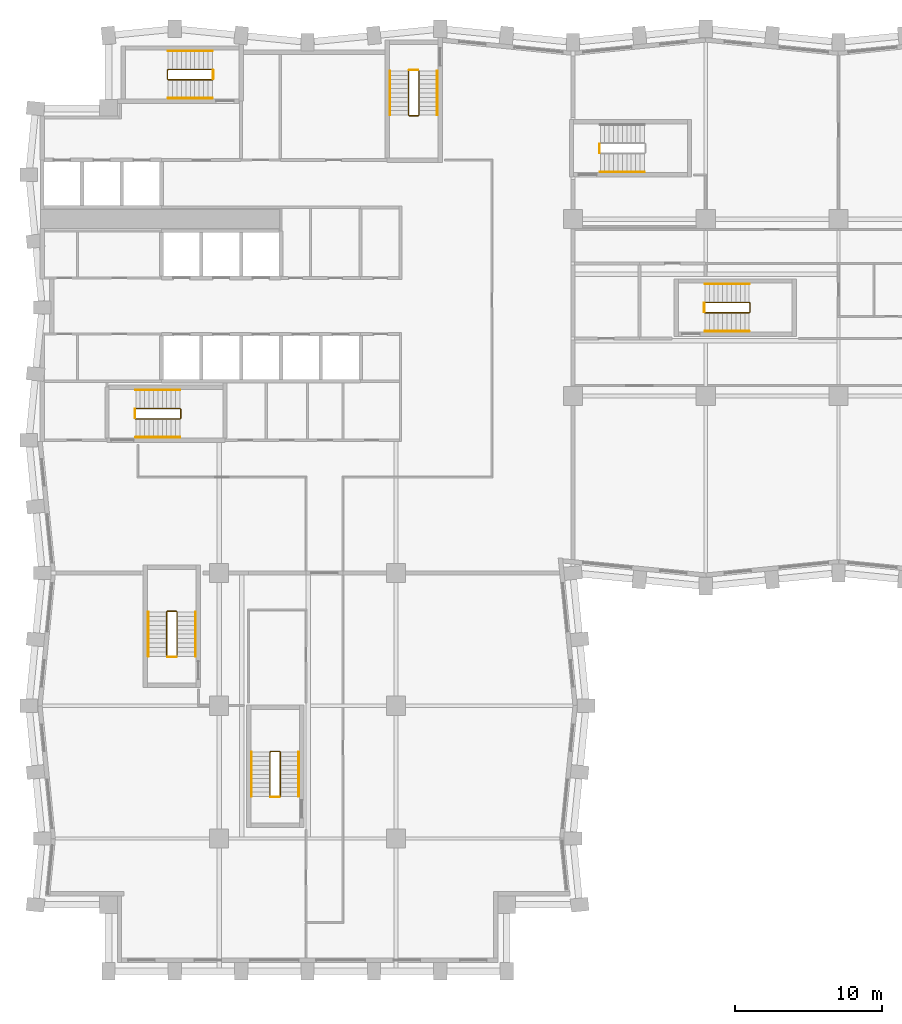
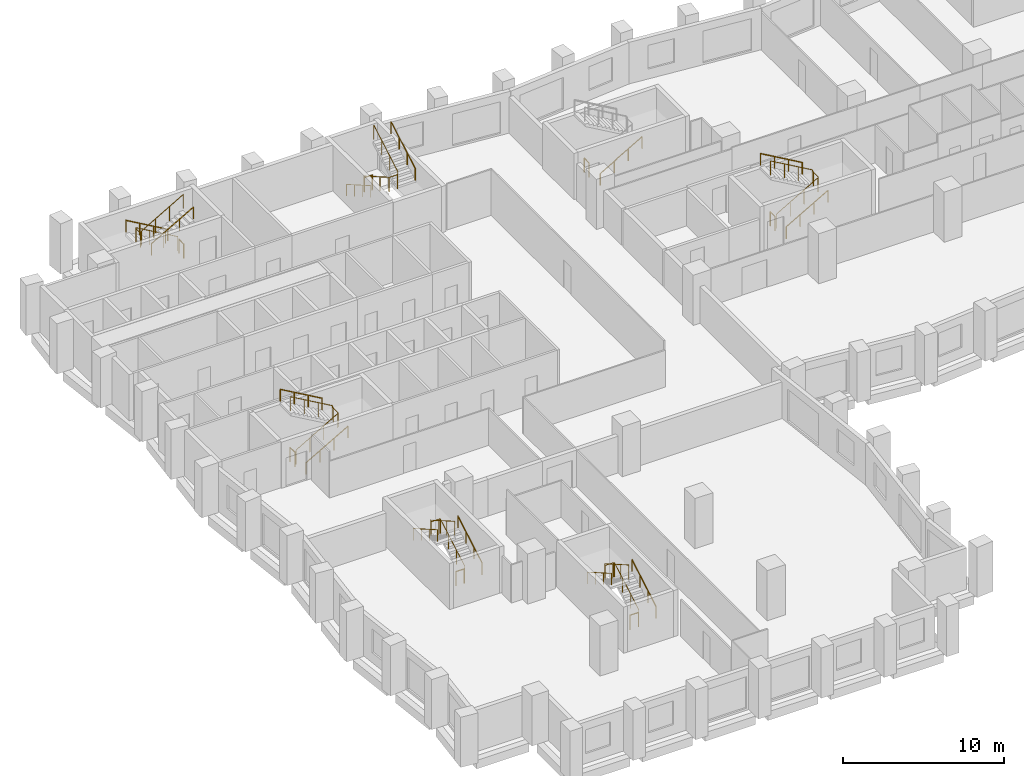
# One storey, part 10 of 11: 26 railings.
"""IFC4 building model written with IfcOpenShell, lengths in metres."""

from ifc_helpers import new_model, si_unit, direction, frame, origin, origin_2d, place, context, subcontext, project, spatial, circle, extrude, material, type_object, element, save


model = new_model("IFC4")

# Units and contexts
model_context = context("Model", 3, precision=1e-05, world=origin(), true_north=direction((0.0, 1.0)))
body_context = subcontext(model_context, "Body", "Model", "MODEL_VIEW")
ifc_project = project(units=[si_unit("LENGTHUNIT", "METRE"), si_unit("AREAUNIT", "SQUARE_METRE"), si_unit("VOLUMEUNIT", "CUBIC_METRE"), si_unit("PLANEANGLEUNIT", "RADIAN"), si_unit("MASSUNIT", "GRAM", prefix="KILO")], contexts=[model_context])

# Site, building, storey
site_placement = place(None, origin())
site = spatial("IfcSite", under=ifc_project, at=site_placement, CompositionType="ELEMENT")
building_placement = place(site_placement, origin())
building = spatial("IfcBuilding", under=site, at=building_placement, Name="Brondeck Convention Tower", CompositionType="ELEMENT")
storey_placement = place(building_placement, frame((0.0, 0.0, 118.89990234375)))
storey = spatial("IfcBuildingStorey", under=building, at=storey_placement, Name="L28", CompositionType="ELEMENT", Elevation=118.89990234375)

# Railings
ifc_material = material(Name="Steel S355", Category="steel")
railing_type_1 = type_object("IfcRailingType", Name="Stair guard 1100", PredefinedType="GUARDRAIL", material=ifc_material)
railing_1_placement = place(storey_placement, frame((6.35009765625, 37.449951171875, 0.1728515625)))
element("IfcRailing", 1, at=railing_1_placement, inside=storey, type_object=railing_type_1, Name="L28 ST-1 stair guard 1", PredefinedType="GUARDRAIL", context=body_context, shape_type="SweptSolid", body=[
    extrude(circle(Radius=0.02392578125, at=origin_2d()), frame((0.0, 0.0, 1.076171875), z_axis=(0.866619684472, 0.0, 0.498969260062), x_axis=(0.0, 1.0, 0.0)), (0.0, 0.0, 1.0), 3.461669921875),
    extrude(circle(Radius=0.02392578125, at=origin_2d()), frame((3.0, 0.0, 2.80322265625), z_axis=(0.705375805398, 0.708833529934, 0.0), x_axis=(-0.708833529934, 0.705375805398, 0.0)), (0.0, 0.0, 1.0), 0.070556640625),
    extrude(circle(Radius=0.02392578125, at=origin_2d()), frame((3.0498046875, 0.050048828125, 2.80322265625), z_axis=(0.0, 1.0, 0.0), x_axis=(-1.0, 0.0, 0.0)), (0.0, 0.0, 1.0), 0.60009765625),
    extrude(circle(Radius=0.02392578125, at=origin_2d()), frame((3.0498046875, 0.650146484375, 2.80322265625), z_axis=(-0.26715648603, 0.26715648603, 0.925880566782), x_axis=(-0.707106781187, -0.707106781187, 0.0)), (0.0, 0.0, 1.0), 0.1865234375),
    extrude(circle(Radius=0.02392578125, at=origin_2d()), frame((3.0, 0.699951171875, 2.97607421875), z_axis=(-0.866619684472, 0.0, 0.498969260062), x_axis=(0.0, -1.0, 0.0)), (0.0, 0.0, 1.0), 3.461669921875),
    extrude(circle(Radius=0.02099609375, at=origin_2d()), origin(), (0.0, 0.0, 1.0), 1.052001953125),
    extrude(circle(Radius=0.02099609375, at=origin_2d()), frame((1.0, 0.0, 0.57568359375)), (0.0, 0.0, 1.0), 1.052001953125),
    extrude(circle(Radius=0.02099609375, at=origin_2d()), frame((2.0, 0.0, 1.151611328125)), (0.0, 0.0, 1.0), 1.052001953125),
    extrude(circle(Radius=0.02099609375, at=origin_2d()), frame((3.0, 0.0, 1.727294921875)), (0.0, 0.0, 1.0), 1.052001953125),
    extrude(circle(Radius=0.02099609375, at=origin_2d()), frame((3.0498046875, 0.050048828125, 1.727294921875)), (0.0, 0.0, 1.0), 1.052001953125),
    extrude(circle(Radius=0.02099609375, at=origin_2d()), frame((3.0498046875, 0.650146484375, 1.727294921875)), (0.0, 0.0, 1.0), 1.052001953125),
    extrude(circle(Radius=0.02099609375, at=origin_2d()), frame((3.0, 0.699951171875, 1.89990234375)), (0.0, 0.0, 1.0), 1.052001953125),
    extrude(circle(Radius=0.02099609375, at=origin_2d()), frame((2.0, 0.699951171875, 2.4755859375)), (0.0, 0.0, 1.0), 1.052001953125),
    extrude(circle(Radius=0.02099609375, at=origin_2d()), frame((1.0, 0.699951171875, 3.051513671875)), (0.0, 0.0, 1.0), 1.052001953125),
    extrude(circle(Radius=0.02099609375, at=origin_2d()), frame((0.0, 0.699951171875, 3.627197265625)), (0.0, 0.0, 1.0), 1.052001953125),
])
railing_2_placement = place(storey_placement, frame((6.300048828125, 37.5, 0.0)))
element("IfcRailing", 2, at=railing_2_placement, inside=storey, type_object=railing_type_1, Name="L28 ST-1 stair guard 2", PredefinedType="GUARDRAIL", context=body_context, shape_type="SweptSolid", body=[
    extrude(circle(Radius=0.02392578125, at=origin_2d()), frame((0.0, 0.0, 1.076171875), z_axis=(0.0, 1.0, 0.0), x_axis=(-1.0, 0.0, 0.0)), (0.0, 0.0, 1.0), 0.60009765625),
    extrude(circle(Radius=0.02099609375, at=origin_2d()), origin(), (0.0, 0.0, 1.0), 1.052001953125),
    extrude(circle(Radius=0.02099609375, at=origin_2d()), frame((0.0, 0.60009765625, 0.0)), (0.0, 0.0, 1.0), 1.052001953125),
])
railing_3_placement = place(storey_placement, frame((24.85009765625, 61.050048828125, 0.1728515625)))
element("IfcRailing", 3, at=railing_3_placement, inside=storey, type_object=railing_type_1, Name="L28 ST-2 stair guard 1", PredefinedType="GUARDRAIL", context=body_context, shape_type="SweptSolid", body=[
    extrude(circle(Radius=0.02392578125, at=origin_2d()), frame((0.0, 0.0, 1.076171875), z_axis=(0.0, -0.866619684472, 0.498969260062), x_axis=(1.0, 0.0, 0.0)), (0.0, 0.0, 1.0), 3.461669921875),
    extrude(circle(Radius=0.02392578125, at=origin_2d()), frame((0.0, -3.0, 2.80322265625), z_axis=(0.705375805398, -0.708833529934, 0.0), x_axis=(0.708833529934, 0.705375805398, 0.0)), (0.0, 0.0, 1.0), 0.070556640625),
    extrude(circle(Radius=0.02392578125, at=origin_2d()), frame((0.0498046875, -3.050048828125, 2.80322265625), z_axis=(1.0, 0.0, 0.0), x_axis=(0.0, 1.0, 0.0)), (0.0, 0.0, 1.0), 0.60009765625),
    extrude(circle(Radius=0.02392578125, at=origin_2d()), frame((0.64990234375, -3.050048828125, 2.80322265625), z_axis=(0.268277960024, 0.268277960024, 0.925231793839), x_axis=(-0.707106781187, 0.707106781187, 0.0)), (0.0, 0.0, 1.0), 0.1865234375),
    extrude(circle(Radius=0.02392578125, at=origin_2d()), frame((0.699951171875, -3.0, 2.97607421875), z_axis=(0.0, 0.866619684472, 0.498969260062), x_axis=(-1.0, 0.0, 0.0)), (0.0, 0.0, 1.0), 3.461669921875),
    extrude(circle(Radius=0.02099609375, at=origin_2d()), origin(), (0.0, 0.0, 1.0), 1.052001953125),
    extrude(circle(Radius=0.02099609375, at=origin_2d()), frame((0.0, -1.0, 0.57568359375)), (0.0, 0.0, 1.0), 1.052001953125),
    extrude(circle(Radius=0.02099609375, at=origin_2d()), frame((0.0, -2.0, 1.151611328125)), (0.0, 0.0, 1.0), 1.052001953125),
    extrude(circle(Radius=0.02099609375, at=origin_2d()), frame((0.0, -3.0, 1.727294921875)), (0.0, 0.0, 1.0), 1.052001953125),
    extrude(circle(Radius=0.02099609375, at=origin_2d()), frame((0.0498046875, -3.050048828125, 1.727294921875)), (0.0, 0.0, 1.0), 1.052001953125),
    extrude(circle(Radius=0.02099609375, at=origin_2d()), frame((0.64990234375, -3.050048828125, 1.727294921875)), (0.0, 0.0, 1.0), 1.052001953125),
    extrude(circle(Radius=0.02099609375, at=origin_2d()), frame((0.699951171875, -3.0, 1.89990234375)), (0.0, 0.0, 1.0), 1.052001953125),
    extrude(circle(Radius=0.02099609375, at=origin_2d()), frame((0.699951171875, -2.0, 2.4755859375)), (0.0, 0.0, 1.0), 1.052001953125),
    extrude(circle(Radius=0.02099609375, at=origin_2d()), frame((0.699951171875, -1.0, 3.051513671875)), (0.0, 0.0, 1.0), 1.052001953125),
    extrude(circle(Radius=0.02099609375, at=origin_2d()), frame((0.699951171875, 0.0, 3.627197265625)), (0.0, 0.0, 1.0), 1.052001953125),
])
railing_4_placement = place(storey_placement, frame((24.89990234375, 61.10009765625, 0.0)))
element("IfcRailing", 4, at=railing_4_placement, inside=storey, type_object=railing_type_1, Name="L28 ST-2 stair guard 2", PredefinedType="GUARDRAIL", context=body_context, shape_type="SweptSolid", body=[
    extrude(circle(Radius=0.02392578125, at=origin_2d()), frame((0.0, 0.0, 1.076171875), z_axis=(1.0, 0.0, 0.0), x_axis=(0.0, 1.0, 0.0)), (0.0, 0.0, 1.0), 0.60009765625),
    extrude(circle(Radius=0.02099609375, at=origin_2d()), origin(), (0.0, 0.0, 1.0), 1.052001953125),
    extrude(circle(Radius=0.02099609375, at=origin_2d()), frame((0.60009765625, 0.0, 0.0)), (0.0, 0.0, 1.0), 1.052001953125),
])
railing_5_placement = place(storey_placement, frame((11.550048828125, 61.14990234375, 0.1728515625)))
element("IfcRailing", 5, at=railing_5_placement, inside=storey, type_object=railing_type_1, Name="L28 ST-3 stair guard 1", PredefinedType="GUARDRAIL", context=body_context, shape_type="SweptSolid", body=[
    extrude(circle(Radius=0.02392578125, at=origin_2d()), frame((0.0, 0.0, 1.076171875), z_axis=(-0.866619684472, 0.0, 0.498969260062), x_axis=(0.0, -1.0, 0.0)), (0.0, 0.0, 1.0), 3.461669921875),
    extrude(circle(Radius=0.02392578125, at=origin_2d()), frame((-3.0, 0.0, 2.80322265625), z_axis=(-0.708833529934, -0.705375805398, 0.0), x_axis=(0.705375805398, -0.708833529934, 0.0)), (0.0, 0.0, 1.0), 0.070556640625),
    extrude(circle(Radius=0.02392578125, at=origin_2d()), frame((-3.050048828125, -0.0498046875, 2.80322265625), z_axis=(0.0, -1.0, 0.0), x_axis=(1.0, 0.0, 0.0)), (0.0, 0.0, 1.0), 0.60009765625),
    extrude(circle(Radius=0.02392578125, at=origin_2d()), frame((-3.050048828125, -0.64990234375, 2.80322265625), z_axis=(0.268277960024, -0.268277960024, 0.925231793839), x_axis=(0.707106781187, 0.707106781187, 0.0)), (0.0, 0.0, 1.0), 0.1865234375),
    extrude(circle(Radius=0.02392578125, at=origin_2d()), frame((-3.0, -0.699951171875, 2.97607421875), z_axis=(0.866619684472, 0.0, 0.498969260062), x_axis=(0.0, 1.0, 0.0)), (0.0, 0.0, 1.0), 3.461669921875),
    extrude(circle(Radius=0.02099609375, at=origin_2d()), origin(), (0.0, 0.0, 1.0), 1.052001953125),
    extrude(circle(Radius=0.02099609375, at=origin_2d()), frame((-1.0, 0.0, 0.57568359375)), (0.0, 0.0, 1.0), 1.052001953125),
    extrude(circle(Radius=0.02099609375, at=origin_2d()), frame((-2.0, 0.0, 1.151611328125)), (0.0, 0.0, 1.0), 1.052001953125),
    extrude(circle(Radius=0.02099609375, at=origin_2d()), frame((-3.0, 0.0, 1.727294921875)), (0.0, 0.0, 1.0), 1.052001953125),
    extrude(circle(Radius=0.02099609375, at=origin_2d()), frame((-3.050048828125, -0.0498046875, 1.727294921875)), (0.0, 0.0, 1.0), 1.052001953125),
    extrude(circle(Radius=0.02099609375, at=origin_2d()), frame((-3.050048828125, -0.64990234375, 1.727294921875)), (0.0, 0.0, 1.0), 1.052001953125),
    extrude(circle(Radius=0.02099609375, at=origin_2d()), frame((-3.0, -0.699951171875, 1.89990234375)), (0.0, 0.0, 1.0), 1.052001953125),
    extrude(circle(Radius=0.02099609375, at=origin_2d()), frame((-2.0, -0.699951171875, 2.4755859375)), (0.0, 0.0, 1.0), 1.052001953125),
    extrude(circle(Radius=0.02099609375, at=origin_2d()), frame((-1.0, -0.699951171875, 3.051513671875)), (0.0, 0.0, 1.0), 1.052001953125),
    extrude(circle(Radius=0.02099609375, at=origin_2d()), frame((0.0, -0.699951171875, 3.627197265625)), (0.0, 0.0, 1.0), 1.052001953125),
])
railing_6_placement = place(storey_placement, frame((11.60009765625, 61.10009765625, 0.0)))
element("IfcRailing", 6, at=railing_6_placement, inside=storey, type_object=railing_type_1, Name="L28 ST-3 stair guard 2", PredefinedType="GUARDRAIL", context=body_context, shape_type="SweptSolid", body=[
    extrude(circle(Radius=0.02392578125, at=origin_2d()), frame((0.0, 0.0, 1.076171875), z_axis=(0.0, -1.0, 0.0), x_axis=(1.0, 0.0, 0.0)), (0.0, 0.0, 1.0), 0.60009765625),
    extrude(circle(Radius=0.02099609375, at=origin_2d()), origin(), (0.0, 0.0, 1.0), 1.052001953125),
    extrude(circle(Radius=0.02099609375, at=origin_2d()), frame((0.0, -0.60009765625, 0.0)), (0.0, 0.0, 1.0), 1.052001953125),
])
railing_7_placement = place(storey_placement, frame((37.800048828125, 55.5, 0.0)))
element("IfcRailing", 7, at=railing_7_placement, inside=storey, type_object=railing_type_1, Name="L28 ST-AE stair guard 2", PredefinedType="GUARDRAIL", context=body_context, shape_type="SweptSolid", body=[
    extrude(circle(Radius=0.02392578125, at=origin_2d()), frame((0.0, 0.0, 1.076171875), z_axis=(0.0, 1.0, 0.0), x_axis=(-1.0, 0.0, 0.0)), (0.0, 0.0, 1.0), 0.60009765625),
    extrude(circle(Radius=0.02099609375, at=origin_2d()), origin(), (0.0, 0.0, 1.0), 1.052001953125),
    extrude(circle(Radius=0.02099609375, at=origin_2d()), frame((0.0, 0.60009765625, 0.0)), (0.0, 0.0, 1.0), 1.052001953125),
])
railing_8_placement = place(storey_placement, frame((9.14990234375, 21.35009765625, 0.1728515625)))
element("IfcRailing", 8, at=railing_8_placement, inside=storey, type_object=railing_type_1, Name="L28 ST-BE stair guard 1", PredefinedType="GUARDRAIL", context=body_context, shape_type="SweptSolid", body=[
    extrude(circle(Radius=0.02392578125, at=origin_2d()), frame((0.0, 0.0, 1.076171875), z_axis=(0.0, 0.866619684472, 0.498969260062), x_axis=(-1.0, 0.0, 0.0)), (0.0, 0.0, 1.0), 3.461669921875),
    extrude(circle(Radius=0.02392578125, at=origin_2d()), frame((0.0, 3.0, 2.80322265625), z_axis=(-0.707106781187, 0.707106781187, 0.0), x_axis=(-0.707106781187, -0.707106781187, 0.0)), (0.0, 0.0, 1.0), 0.0703125),
    extrude(circle(Radius=0.02392578125, at=origin_2d()), frame((-0.0498046875, 3.0498046875, 2.80322265625), z_axis=(-1.0, 0.0, 0.0), x_axis=(0.0, -1.0, 0.0)), (0.0, 0.0, 1.0), 0.60009765625),
    extrude(circle(Radius=0.02392578125, at=origin_2d()), frame((-0.64990234375, 3.0498046875, 2.80322265625), z_axis=(-0.268371968888, -0.267062837333, 0.925556009775), x_axis=(0.705375805398, -0.708833529934, 0.0)), (0.0, 0.0, 1.0), 0.1865234375),
    extrude(circle(Radius=0.02392578125, at=origin_2d()), frame((-0.699951171875, 3.0, 2.97607421875), z_axis=(0.0, -0.866619684472, 0.498969260062), x_axis=(1.0, 0.0, 0.0)), (0.0, 0.0, 1.0), 3.461669921875),
    extrude(circle(Radius=0.02099609375, at=origin_2d()), origin(), (0.0, 0.0, 1.0), 1.052001953125),
    extrude(circle(Radius=0.02099609375, at=origin_2d()), frame((0.0, 1.0, 0.57568359375)), (0.0, 0.0, 1.0), 1.052001953125),
    extrude(circle(Radius=0.02099609375, at=origin_2d()), frame((0.0, 2.0, 1.151611328125)), (0.0, 0.0, 1.0), 1.052001953125),
    extrude(circle(Radius=0.02099609375, at=origin_2d()), frame((0.0, 3.0, 1.727294921875)), (0.0, 0.0, 1.0), 1.052001953125),
    extrude(circle(Radius=0.02099609375, at=origin_2d()), frame((-0.0498046875, 3.0498046875, 1.727294921875)), (0.0, 0.0, 1.0), 1.052001953125),
    extrude(circle(Radius=0.02099609375, at=origin_2d()), frame((-0.64990234375, 3.0498046875, 1.727294921875)), (0.0, 0.0, 1.0), 1.052001953125),
    extrude(circle(Radius=0.02099609375, at=origin_2d()), frame((-0.699951171875, 3.0, 1.89990234375)), (0.0, 0.0, 1.0), 1.052001953125),
    extrude(circle(Radius=0.02099609375, at=origin_2d()), frame((-0.699951171875, 2.0, 2.4755859375)), (0.0, 0.0, 1.0), 1.052001953125),
    extrude(circle(Radius=0.02099609375, at=origin_2d()), frame((-0.699951171875, 1.0, 3.051513671875)), (0.0, 0.0, 1.0), 1.052001953125),
    extrude(circle(Radius=0.02099609375, at=origin_2d()), frame((-0.699951171875, 0.0, 3.627197265625)), (0.0, 0.0, 1.0), 1.052001953125),
])
railing_9_placement = place(storey_placement, frame((9.10009765625, 21.300048828125, 0.0)))
element("IfcRailing", 9, at=railing_9_placement, inside=storey, type_object=railing_type_1, Name="L28 ST-BE stair guard 2", PredefinedType="GUARDRAIL", context=body_context, shape_type="SweptSolid", body=[
    extrude(circle(Radius=0.02392578125, at=origin_2d()), frame((0.0, 0.0, 1.076171875), z_axis=(-1.0, 0.0, 0.0), x_axis=(0.0, -1.0, 0.0)), (0.0, 0.0, 1.0), 0.60009765625),
    extrude(circle(Radius=0.02099609375, at=origin_2d()), origin(), (0.0, 0.0, 1.0), 1.052001953125),
    extrude(circle(Radius=0.02099609375, at=origin_2d()), frame((-0.60009765625, 0.0, 0.0)), (0.0, 0.0, 1.0), 1.052001953125),
])
railing_10_placement = place(storey_placement, frame((44.949951171875, 44.64990234375, 0.1728515625)))
element("IfcRailing", 10, at=railing_10_placement, inside=storey, type_object=railing_type_1, Name="L28 ST-AF stair guard 1", PredefinedType="GUARDRAIL", context=body_context, shape_type="SweptSolid", body=[
    extrude(circle(Radius=0.02392578125, at=origin_2d()), frame((0.0, 0.0, 1.076171875), z_axis=(0.866619684472, 0.0, 0.498969260062), x_axis=(0.0, 1.0, 0.0)), (0.0, 0.0, 1.0), 3.461669921875),
    extrude(circle(Radius=0.02392578125, at=origin_2d()), frame((3.0, 0.0, 2.80322265625), z_axis=(0.707106781187, 0.707106781187, 0.0), x_axis=(-0.707106781187, 0.707106781187, 0.0)), (0.0, 0.0, 1.0), 0.07080078125),
    extrude(circle(Radius=0.02392578125, at=origin_2d()), frame((3.050048828125, 0.050048828125, 2.80322265625), z_axis=(0.0, 1.0, 0.0), x_axis=(-1.0, 0.0, 0.0)), (0.0, 0.0, 1.0), 0.60009765625),
    extrude(circle(Radius=0.02392578125, at=origin_2d()), frame((3.050048828125, 0.650146484375, 2.80322265625), z_axis=(-0.268277960024, 0.268277960024, 0.925231793839), x_axis=(-0.707106781187, -0.707106781187, 0.0)), (0.0, 0.0, 1.0), 0.1865234375),
    extrude(circle(Radius=0.02392578125, at=origin_2d()), frame((3.0, 0.7001953125, 2.97607421875), z_axis=(-0.866619684472, 0.0, 0.498969260062), x_axis=(0.0, -1.0, 0.0)), (0.0, 0.0, 1.0), 3.461669921875),
    extrude(circle(Radius=0.02099609375, at=origin_2d()), origin(), (0.0, 0.0, 1.0), 1.052001953125),
    extrude(circle(Radius=0.02099609375, at=origin_2d()), frame((1.0, 0.0, 0.57568359375)), (0.0, 0.0, 1.0), 1.052001953125),
    extrude(circle(Radius=0.02099609375, at=origin_2d()), frame((2.0, 0.0, 1.151611328125)), (0.0, 0.0, 1.0), 1.052001953125),
    extrude(circle(Radius=0.02099609375, at=origin_2d()), frame((3.0, 0.0, 1.727294921875)), (0.0, 0.0, 1.0), 1.052001953125),
    extrude(circle(Radius=0.02099609375, at=origin_2d()), frame((3.050048828125, 0.050048828125, 1.727294921875)), (0.0, 0.0, 1.0), 1.052001953125),
    extrude(circle(Radius=0.02099609375, at=origin_2d()), frame((3.050048828125, 0.650146484375, 1.727294921875)), (0.0, 0.0, 1.0), 1.052001953125),
    extrude(circle(Radius=0.02099609375, at=origin_2d()), frame((3.0, 0.7001953125, 1.89990234375)), (0.0, 0.0, 1.0), 1.052001953125),
    extrude(circle(Radius=0.02099609375, at=origin_2d()), frame((2.0, 0.7001953125, 2.4755859375)), (0.0, 0.0, 1.0), 1.052001953125),
    extrude(circle(Radius=0.02099609375, at=origin_2d()), frame((1.0, 0.7001953125, 3.051513671875)), (0.0, 0.0, 1.0), 1.052001953125),
    extrude(circle(Radius=0.02099609375, at=origin_2d()), frame((0.0, 0.7001953125, 3.627197265625)), (0.0, 0.0, 1.0), 1.052001953125),
])
railing_11_placement = place(storey_placement, frame((44.89990234375, 44.699951171875, 0.0)))
element("IfcRailing", 11, at=railing_11_placement, inside=storey, type_object=railing_type_1, Name="L28 ST-AF stair guard 2", PredefinedType="GUARDRAIL", context=body_context, shape_type="SweptSolid", body=[
    extrude(circle(Radius=0.02392578125, at=origin_2d()), frame((0.0, 0.0, 1.076171875), z_axis=(0.0, 1.0, 0.0), x_axis=(-1.0, 0.0, 0.0)), (0.0, 0.0, 1.0), 0.60009765625),
    extrude(circle(Radius=0.02099609375, at=origin_2d()), origin(), (0.0, 0.0, 1.0), 1.052001953125),
    extrude(circle(Radius=0.02099609375, at=origin_2d()), frame((0.0, 0.60009765625, 0.0)), (0.0, 0.0, 1.0), 1.052001953125),
])
railing_12_placement = place(storey_placement, frame((16.14990234375, 11.85009765625, 0.1728515625)))
element("IfcRailing", 12, at=railing_12_placement, inside=storey, type_object=railing_type_1, Name="L28 ST-BF stair guard 1", PredefinedType="GUARDRAIL", context=body_context, shape_type="SweptSolid", body=[
    extrude(circle(Radius=0.02392578125, at=origin_2d()), frame((0.0, 0.0, 1.076171875), z_axis=(0.0, 0.866619684472, 0.498969260062), x_axis=(-1.0, 0.0, 0.0)), (0.0, 0.0, 1.0), 3.461669921875),
    extrude(circle(Radius=0.02392578125, at=origin_2d()), frame((0.0, 3.0, 2.80322265625), z_axis=(-0.707106781187, 0.707106781187, 0.0), x_axis=(-0.707106781187, -0.707106781187, 0.0)), (0.0, 0.0, 1.0), 0.0703125),
    extrude(circle(Radius=0.02392578125, at=origin_2d()), frame((-0.0498046875, 3.0498046875, 2.80322265625), z_axis=(-1.0, 0.0, 0.0), x_axis=(0.0, -1.0, 0.0)), (0.0, 0.0, 1.0), 0.60009765625),
    extrude(circle(Radius=0.02392578125, at=origin_2d()), frame((-0.64990234375, 3.0498046875, 2.80322265625), z_axis=(-0.268371968888, -0.267062837333, 0.925556009775), x_axis=(0.705375805398, -0.708833529934, 0.0)), (0.0, 0.0, 1.0), 0.1865234375),
    extrude(circle(Radius=0.02392578125, at=origin_2d()), frame((-0.699951171875, 3.0, 2.97607421875), z_axis=(0.0, -0.866619684472, 0.498969260062), x_axis=(1.0, 0.0, 0.0)), (0.0, 0.0, 1.0), 3.461669921875),
    extrude(circle(Radius=0.02099609375, at=origin_2d()), origin(), (0.0, 0.0, 1.0), 1.052001953125),
    extrude(circle(Radius=0.02099609375, at=origin_2d()), frame((0.0, 1.0, 0.57568359375)), (0.0, 0.0, 1.0), 1.052001953125),
    extrude(circle(Radius=0.02099609375, at=origin_2d()), frame((0.0, 2.0, 1.151611328125)), (0.0, 0.0, 1.0), 1.052001953125),
    extrude(circle(Radius=0.02099609375, at=origin_2d()), frame((0.0, 3.0, 1.727294921875)), (0.0, 0.0, 1.0), 1.052001953125),
    extrude(circle(Radius=0.02099609375, at=origin_2d()), frame((-0.0498046875, 3.0498046875, 1.727294921875)), (0.0, 0.0, 1.0), 1.052001953125),
    extrude(circle(Radius=0.02099609375, at=origin_2d()), frame((-0.64990234375, 3.0498046875, 1.727294921875)), (0.0, 0.0, 1.0), 1.052001953125),
    extrude(circle(Radius=0.02099609375, at=origin_2d()), frame((-0.699951171875, 3.0, 1.89990234375)), (0.0, 0.0, 1.0), 1.052001953125),
    extrude(circle(Radius=0.02099609375, at=origin_2d()), frame((-0.699951171875, 2.0, 2.4755859375)), (0.0, 0.0, 1.0), 1.052001953125),
    extrude(circle(Radius=0.02099609375, at=origin_2d()), frame((-0.699951171875, 1.0, 3.051513671875)), (0.0, 0.0, 1.0), 1.052001953125),
    extrude(circle(Radius=0.02099609375, at=origin_2d()), frame((-0.699951171875, 0.0, 3.627197265625)), (0.0, 0.0, 1.0), 1.052001953125),
])
railing_13_placement = place(storey_placement, frame((16.10009765625, 11.800048828125, 0.0)))
element("IfcRailing", 13, at=railing_13_placement, inside=storey, type_object=railing_type_1, Name="L28 ST-BF stair guard 2", PredefinedType="GUARDRAIL", context=body_context, shape_type="SweptSolid", body=[
    extrude(circle(Radius=0.02392578125, at=origin_2d()), frame((0.0, 0.0, 1.076171875), z_axis=(-1.0, 0.0, 0.0), x_axis=(0.0, -1.0, 0.0)), (0.0, 0.0, 1.0), 0.60009765625),
    extrude(circle(Radius=0.02099609375, at=origin_2d()), origin(), (0.0, 0.0, 1.0), 1.052001953125),
    extrude(circle(Radius=0.02099609375, at=origin_2d()), frame((-0.60009765625, 0.0, 0.0)), (0.0, 0.0, 1.0), 1.052001953125),
])
railing_type_2 = type_object("IfcRailingType", Name="Stair handrail", PredefinedType="HANDRAIL", material=ifc_material)
railing_14_placement = place(storey_placement, frame((6.35009765625, 36.199951171875, 0.1728515625)))
element("IfcRailing", 14, at=railing_14_placement, inside=storey, type_object=railing_type_2, Name="L28 ST-1 stair handrail 1", PredefinedType="HANDRAIL", context=body_context, shape_type="SweptSolid", body=[
    extrude(circle(Radius=0.02392578125, at=origin_2d()), frame((0.0, 0.0, 0.8759765625), z_axis=(0.866619684472, 0.0, 0.498969260062), x_axis=(0.0, 1.0, 0.0)), (0.0, 0.0, 1.0), 3.461669921875),
    extrude(circle(Radius=0.02099609375, at=origin_2d()), origin(), (0.0, 0.0, 1.0), 0.851806640625),
    extrude(circle(Radius=0.02099609375, at=origin_2d()), frame((1.0, 0.0, 0.57568359375)), (0.0, 0.0, 1.0), 0.851806640625),
    extrude(circle(Radius=0.02099609375, at=origin_2d()), frame((2.0, 0.0, 1.151611328125)), (0.0, 0.0, 1.0), 0.851806640625),
    extrude(circle(Radius=0.02099609375, at=origin_2d()), frame((3.0, 0.0, 1.727294921875)), (0.0, 0.0, 1.0), 0.851806640625),
])
railing_15_placement = place(storey_placement, frame((9.35009765625, 39.39990234375, 2.07275390625)))
element("IfcRailing", 15, at=railing_15_placement, inside=storey, type_object=railing_type_2, Name="L28 ST-1 stair handrail 2", PredefinedType="HANDRAIL", context=body_context, shape_type="SweptSolid", body=[
    extrude(circle(Radius=0.02392578125, at=origin_2d()), frame((0.0, 0.0, 0.8759765625), z_axis=(-0.866619684472, 0.0, 0.498969260062), x_axis=(0.0, -1.0, 0.0)), (0.0, 0.0, 1.0), 3.461669921875),
    extrude(circle(Radius=0.02099609375, at=origin_2d()), origin(), (0.0, 0.0, 1.0), 0.851806640625),
    extrude(circle(Radius=0.02099609375, at=origin_2d()), frame((-1.0, 0.0, 0.57568359375)), (0.0, 0.0, 1.0), 0.851806640625),
    extrude(circle(Radius=0.02099609375, at=origin_2d()), frame((-2.0, 0.0, 1.151611328125)), (0.0, 0.0, 1.0), 0.851806640625),
    extrude(circle(Radius=0.02099609375, at=origin_2d()), frame((-3.0, 0.0, 1.727294921875)), (0.0, 0.0, 1.0), 0.851806640625),
])
railing_16_placement = place(storey_placement, frame((23.60009765625, 61.050048828125, 0.1728515625)))
element("IfcRailing", 16, at=railing_16_placement, inside=storey, type_object=railing_type_2, Name="L28 ST-2 stair handrail 1", PredefinedType="HANDRAIL", context=body_context, shape_type="SweptSolid", body=[
    extrude(circle(Radius=0.02392578125, at=origin_2d()), frame((0.0, 0.0, 0.8759765625), z_axis=(0.0, -0.866619684472, 0.498969260062), x_axis=(1.0, 0.0, 0.0)), (0.0, 0.0, 1.0), 3.461669921875),
    extrude(circle(Radius=0.02099609375, at=origin_2d()), origin(), (0.0, 0.0, 1.0), 0.851806640625),
    extrude(circle(Radius=0.02099609375, at=origin_2d()), frame((0.0, -1.0, 0.57568359375)), (0.0, 0.0, 1.0), 0.851806640625),
    extrude(circle(Radius=0.02099609375, at=origin_2d()), frame((0.0, -2.0, 1.151611328125)), (0.0, 0.0, 1.0), 0.851806640625),
    extrude(circle(Radius=0.02099609375, at=origin_2d()), frame((0.0, -3.0, 1.727294921875)), (0.0, 0.0, 1.0), 0.851806640625),
])
railing_17_placement = place(storey_placement, frame((26.800048828125, 58.050048828125, 2.07275390625)))
element("IfcRailing", 17, at=railing_17_placement, inside=storey, type_object=railing_type_2, Name="L28 ST-2 stair handrail 2", PredefinedType="HANDRAIL", context=body_context, shape_type="SweptSolid", body=[
    extrude(circle(Radius=0.02392578125, at=origin_2d()), frame((0.0, 0.0, 0.8759765625), z_axis=(0.0, 0.866619684472, 0.498969260062), x_axis=(-1.0, 0.0, 0.0)), (0.0, 0.0, 1.0), 3.461669921875),
    extrude(circle(Radius=0.02099609375, at=origin_2d()), origin(), (0.0, 0.0, 1.0), 0.851806640625),
    extrude(circle(Radius=0.02099609375, at=origin_2d()), frame((0.0, 1.0, 0.57568359375)), (0.0, 0.0, 1.0), 0.851806640625),
    extrude(circle(Radius=0.02099609375, at=origin_2d()), frame((0.0, 2.0, 1.151611328125)), (0.0, 0.0, 1.0), 0.851806640625),
    extrude(circle(Radius=0.02099609375, at=origin_2d()), frame((0.0, 3.0, 1.727294921875)), (0.0, 0.0, 1.0), 0.851806640625),
])
railing_18_placement = place(storey_placement, frame((11.550048828125, 62.39990234375, 0.1728515625)))
element("IfcRailing", 18, at=railing_18_placement, inside=storey, type_object=railing_type_2, Name="L28 ST-3 stair handrail 1", PredefinedType="HANDRAIL", context=body_context, shape_type="SweptSolid", body=[
    extrude(circle(Radius=0.02392578125, at=origin_2d()), frame((0.0, 0.0, 0.8759765625), z_axis=(-0.866619684472, 0.0, 0.498969260062), x_axis=(0.0, -1.0, 0.0)), (0.0, 0.0, 1.0), 3.461669921875),
    extrude(circle(Radius=0.02099609375, at=origin_2d()), origin(), (0.0, 0.0, 1.0), 0.851806640625),
    extrude(circle(Radius=0.02099609375, at=origin_2d()), frame((-1.0, 0.0, 0.57568359375)), (0.0, 0.0, 1.0), 0.851806640625),
    extrude(circle(Radius=0.02099609375, at=origin_2d()), frame((-2.0, 0.0, 1.151611328125)), (0.0, 0.0, 1.0), 0.851806640625),
    extrude(circle(Radius=0.02099609375, at=origin_2d()), frame((-3.0, 0.0, 1.727294921875)), (0.0, 0.0, 1.0), 0.851806640625),
])
for number, where, name in (
    (19, (8.550048828125, 59.199951171875, 2.07275390625), "L28 ST-3 stair handrail 2"),
    (20, (37.85009765625, 54.199951171875, 0.1728515625), "L28 ST-AE stair handrail 1"),
):
    element("IfcRailing", number, at=place(storey_placement, frame(where)), inside=storey, type_object=railing_type_2, Name=name, PredefinedType="HANDRAIL", context=body_context, shape_type="SweptSolid", body=[
        extrude(circle(Radius=0.02392578125, at=origin_2d()), frame((0.0, 0.0, 0.8759765625), z_axis=(0.866619684472, 0.0, 0.498969260062), x_axis=(0.0, 1.0, 0.0)), (0.0, 0.0, 1.0), 3.461669921875),
        extrude(circle(Radius=0.02099609375, at=origin_2d()), origin(), (0.0, 0.0, 1.0), 0.851806640625),
        extrude(circle(Radius=0.02099609375, at=origin_2d()), frame((1.0, 0.0, 0.57568359375)), (0.0, 0.0, 1.0), 0.851806640625),
        extrude(circle(Radius=0.02099609375, at=origin_2d()), frame((2.0, 0.0, 1.151611328125)), (0.0, 0.0, 1.0), 0.851806640625),
        extrude(circle(Radius=0.02099609375, at=origin_2d()), frame((3.0, 0.0, 1.727294921875)), (0.0, 0.0, 1.0), 0.851806640625),
    ])
railing_19_placement = place(storey_placement, frame((10.39990234375, 21.35009765625, 0.1728515625)))
element("IfcRailing", 21, at=railing_19_placement, inside=storey, type_object=railing_type_2, Name="L28 ST-BE stair handrail 1", PredefinedType="HANDRAIL", context=body_context, shape_type="SweptSolid", body=[
    extrude(circle(Radius=0.02392578125, at=origin_2d()), frame((0.0, 0.0, 0.8759765625), z_axis=(0.0, 0.866619684472, 0.498969260062), x_axis=(-1.0, 0.0, 0.0)), (0.0, 0.0, 1.0), 3.461669921875),
    extrude(circle(Radius=0.02099609375, at=origin_2d()), origin(), (0.0, 0.0, 1.0), 0.851806640625),
    extrude(circle(Radius=0.02099609375, at=origin_2d()), frame((0.0, 1.0, 0.57568359375)), (0.0, 0.0, 1.0), 0.851806640625),
    extrude(circle(Radius=0.02099609375, at=origin_2d()), frame((0.0, 2.0, 1.151611328125)), (0.0, 0.0, 1.0), 0.851806640625),
    extrude(circle(Radius=0.02099609375, at=origin_2d()), frame((0.0, 3.0, 1.727294921875)), (0.0, 0.0, 1.0), 0.851806640625),
])
railing_20_placement = place(storey_placement, frame((7.199951171875, 24.35009765625, 2.07275390625)))
element("IfcRailing", 22, at=railing_20_placement, inside=storey, type_object=railing_type_2, Name="L28 ST-BE stair handrail 2", PredefinedType="HANDRAIL", context=body_context, shape_type="SweptSolid", body=[
    extrude(circle(Radius=0.02392578125, at=origin_2d()), frame((0.0, 0.0, 0.8759765625), z_axis=(0.0, -0.866619684472, 0.498969260062), x_axis=(1.0, 0.0, 0.0)), (0.0, 0.0, 1.0), 3.461669921875),
    extrude(circle(Radius=0.02099609375, at=origin_2d()), origin(), (0.0, 0.0, 1.0), 0.851806640625),
    extrude(circle(Radius=0.02099609375, at=origin_2d()), frame((0.0, -1.0, 0.57568359375)), (0.0, 0.0, 1.0), 0.851806640625),
    extrude(circle(Radius=0.02099609375, at=origin_2d()), frame((0.0, -2.0, 1.151611328125)), (0.0, 0.0, 1.0), 0.851806640625),
    extrude(circle(Radius=0.02099609375, at=origin_2d()), frame((0.0, -3.0, 1.727294921875)), (0.0, 0.0, 1.0), 0.851806640625),
])
railing_21_placement = place(storey_placement, frame((44.949951171875, 43.39990234375, 0.1728515625)))
element("IfcRailing", 23, at=railing_21_placement, inside=storey, type_object=railing_type_2, Name="L28 ST-AF stair handrail 1", PredefinedType="HANDRAIL", context=body_context, shape_type="SweptSolid", body=[
    extrude(circle(Radius=0.02392578125, at=origin_2d()), frame((0.0, 0.0, 0.8759765625), z_axis=(0.866619684472, 0.0, 0.498969260062), x_axis=(0.0, 1.0, 0.0)), (0.0, 0.0, 1.0), 3.461669921875),
    extrude(circle(Radius=0.02099609375, at=origin_2d()), origin(), (0.0, 0.0, 1.0), 0.851806640625),
    extrude(circle(Radius=0.02099609375, at=origin_2d()), frame((1.0, 0.0, 0.57568359375)), (0.0, 0.0, 1.0), 0.851806640625),
    extrude(circle(Radius=0.02099609375, at=origin_2d()), frame((2.0, 0.0, 1.151611328125)), (0.0, 0.0, 1.0), 0.851806640625),
    extrude(circle(Radius=0.02099609375, at=origin_2d()), frame((3.0, 0.0, 1.727294921875)), (0.0, 0.0, 1.0), 0.851806640625),
])
railing_22_placement = place(storey_placement, frame((47.949951171875, 46.60009765625, 2.07275390625)))
element("IfcRailing", 24, at=railing_22_placement, inside=storey, type_object=railing_type_2, Name="L28 ST-AF stair handrail 2", PredefinedType="HANDRAIL", context=body_context, shape_type="SweptSolid", body=[
    extrude(circle(Radius=0.02392578125, at=origin_2d()), frame((0.0, 0.0, 0.8759765625), z_axis=(-0.866619684472, 0.0, 0.498969260062), x_axis=(0.0, -1.0, 0.0)), (0.0, 0.0, 1.0), 3.461669921875),
    extrude(circle(Radius=0.02099609375, at=origin_2d()), origin(), (0.0, 0.0, 1.0), 0.851806640625),
    extrude(circle(Radius=0.02099609375, at=origin_2d()), frame((-1.0, 0.0, 0.57568359375)), (0.0, 0.0, 1.0), 0.851806640625),
    extrude(circle(Radius=0.02099609375, at=origin_2d()), frame((-2.0, 0.0, 1.151611328125)), (0.0, 0.0, 1.0), 0.851806640625),
    extrude(circle(Radius=0.02099609375, at=origin_2d()), frame((-3.0, 0.0, 1.727294921875)), (0.0, 0.0, 1.0), 0.851806640625),
])
railing_23_placement = place(storey_placement, frame((17.39990234375, 11.85009765625, 0.1728515625)))
element("IfcRailing", 25, at=railing_23_placement, inside=storey, type_object=railing_type_2, Name="L28 ST-BF stair handrail 1", PredefinedType="HANDRAIL", context=body_context, shape_type="SweptSolid", body=[
    extrude(circle(Radius=0.02392578125, at=origin_2d()), frame((0.0, 0.0, 0.8759765625), z_axis=(0.0, 0.866619684472, 0.498969260062), x_axis=(-1.0, 0.0, 0.0)), (0.0, 0.0, 1.0), 3.461669921875),
    extrude(circle(Radius=0.02099609375, at=origin_2d()), origin(), (0.0, 0.0, 1.0), 0.851806640625),
    extrude(circle(Radius=0.02099609375, at=origin_2d()), frame((0.0, 1.0, 0.57568359375)), (0.0, 0.0, 1.0), 0.851806640625),
    extrude(circle(Radius=0.02099609375, at=origin_2d()), frame((0.0, 2.0, 1.151611328125)), (0.0, 0.0, 1.0), 0.851806640625),
    extrude(circle(Radius=0.02099609375, at=origin_2d()), frame((0.0, 3.0, 1.727294921875)), (0.0, 0.0, 1.0), 0.851806640625),
])
railing_24_placement = place(storey_placement, frame((14.199951171875, 14.85009765625, 2.07275390625)))
element("IfcRailing", 26, at=railing_24_placement, inside=storey, type_object=railing_type_2, Name="L28 ST-BF stair handrail 2", PredefinedType="HANDRAIL", context=body_context, shape_type="SweptSolid", body=[
    extrude(circle(Radius=0.02392578125, at=origin_2d()), frame((0.0, 0.0, 0.8759765625), z_axis=(0.0, -0.866619684472, 0.498969260062), x_axis=(1.0, 0.0, 0.0)), (0.0, 0.0, 1.0), 3.461669921875),
    extrude(circle(Radius=0.02099609375, at=origin_2d()), origin(), (0.0, 0.0, 1.0), 0.851806640625),
    extrude(circle(Radius=0.02099609375, at=origin_2d()), frame((0.0, -1.0, 0.57568359375)), (0.0, 0.0, 1.0), 0.851806640625),
    extrude(circle(Radius=0.02099609375, at=origin_2d()), frame((0.0, -2.0, 1.151611328125)), (0.0, 0.0, 1.0), 0.851806640625),
    extrude(circle(Radius=0.02099609375, at=origin_2d()), frame((0.0, -3.0, 1.727294921875)), (0.0, 0.0, 1.0), 0.851806640625),
])

save(model, "model.ifc")
